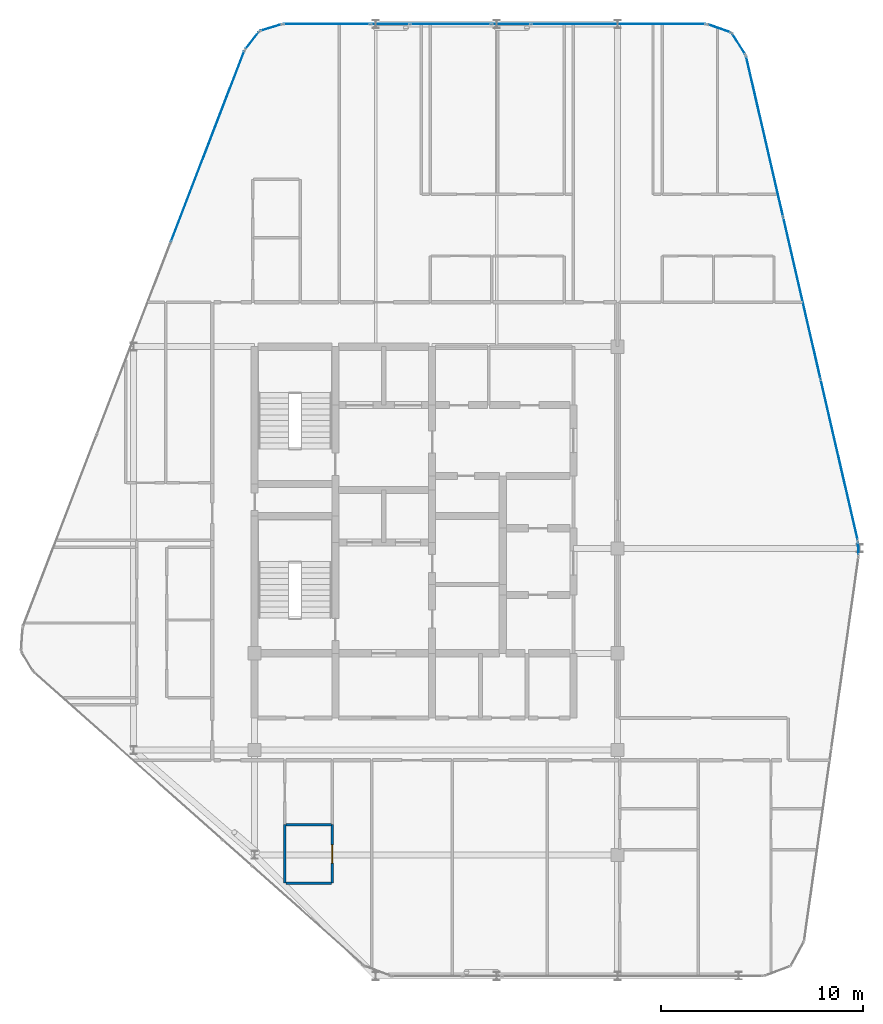
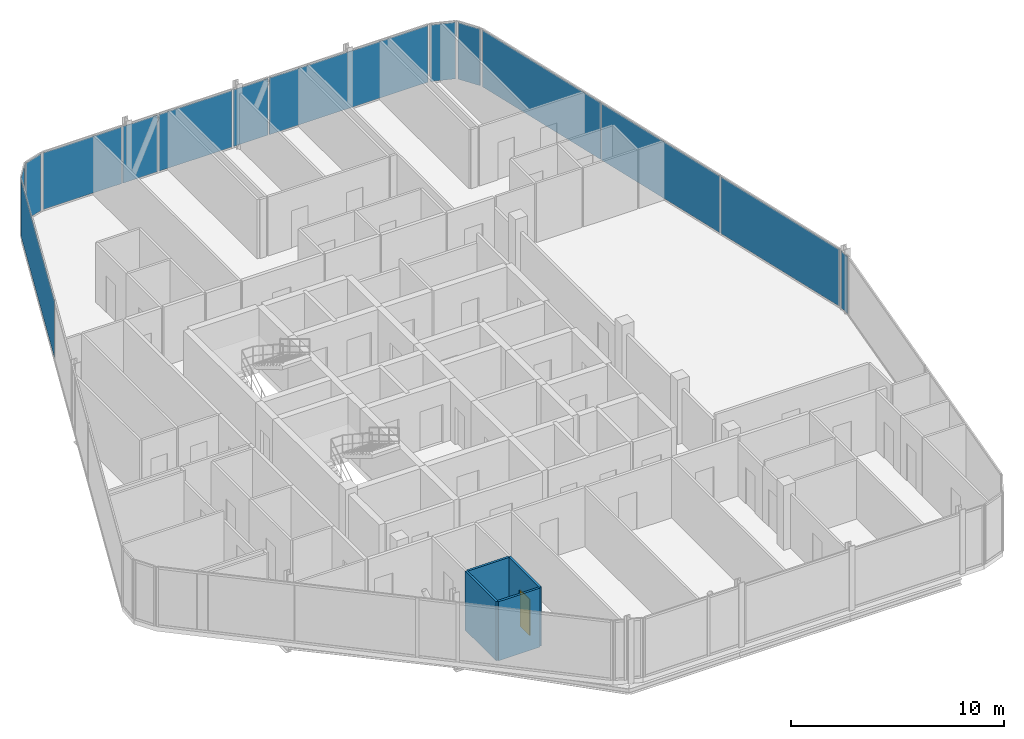
# One storey, part 21 of 27: 14 plates, 4 walls, 1 door, 1 opening, 12 elements without a shape of their own.
"""IFC4 building model written with IfcOpenShell, lengths in metres."""

from ifc_helpers import new_model, si_unit, direction, frame, frame_2d, origin, origin_2d, place, context, subcontext, project, spatial, rectangle, extrude, material, layer, layer_set, type_object, element, fill, aggregate, save


model = new_model("IFC4")

# Units and contexts
model_context = context("Model", 3, precision=1e-05, world=origin(), true_north=direction((0.0, 1.0)))
body_context = subcontext(model_context, "Body", "Model", "MODEL_VIEW")
ifc_project = project(units=[si_unit("LENGTHUNIT", "METRE"), si_unit("AREAUNIT", "SQUARE_METRE"), si_unit("VOLUMEUNIT", "CUBIC_METRE"), si_unit("PLANEANGLEUNIT", "RADIAN"), si_unit("MASSUNIT", "GRAM", prefix="KILO")], contexts=[model_context])

# Site, building, storey
site_placement = place(None, origin())
site = spatial("IfcSite", under=ifc_project, at=site_placement, CompositionType="ELEMENT")
building_placement = place(site_placement, origin())
building = spatial("IfcBuilding", under=site, at=building_placement, Name="Keshet Zoharim Tower", CompositionType="ELEMENT")
storey_placement = place(building_placement, frame((0.0, 0.0, 284.300048828125)))
storey = spatial("IfcBuildingStorey", under=building, at=storey_placement, Name="L71", CompositionType="ELEMENT", Elevation=284.300048828125)

# Curtain wall, plate
ifc_material_1 = material(Name="Aluminium 6063-T6", Category="aluminium")
ifc_layer_1 = layer(ifc_material_1, 0.260009765625)
ifc_layer_set_1 = layer_set([ifc_layer_1], Name="Aluminium 6063-T6")
curtain_wall_type = type_object("IfcCurtainWallType", Name="CW-SYS-06", PredefinedType="NOTDEFINED", material=ifc_layer_set_1)
curtain_wall_1_placement = place(storey_placement, origin())
curtain_wall_1 = element("IfcCurtainWall", 1, at=curtain_wall_1_placement, inside=storey, type_object=curtain_wall_type, Name="L71 Unitised Curtain Wall 03", PredefinedType="NOTDEFINED")
ifc_material_2 = material(Name="Insulated Low-E Clear Glass", Category="glass")
ifc_layer_2 = layer(ifc_material_2, 0.028076171875)
ifc_layer_set_2 = layer_set([ifc_layer_2], Name="Insulated Low-E Clear Glass")
plate_type_1 = type_object("IfcPlateType", Name="CWP-03", PredefinedType="CURTAIN_PANEL", material=ifc_layer_set_2)
plate_1_placement = place(storey_placement, frame((12.665771484375, 47.830810546875, 0.070068359375), z_axis=(0.0, 0.0, 1.0), x_axis=(0.358990003907, 0.933341404361, 0.0)))
plate_1 = element("IfcPlate", 2, at=plate_1_placement, type_object=plate_type_1, Name="CW-06 panel 3.1", PredefinedType="CURTAIN_PANEL", context=body_context, shape_type="SweptSolid", body=[
    extrude(rectangle(XDim=10.1181640625, YDim=0.028076171875, at=origin_2d()), origin(), (0.0, 0.0, 1.0), 3.25),
])
aggregate(curtain_wall_1, [plate_1])

curtain_wall_2_placement = place(storey_placement, origin())
curtain_wall_2 = element("IfcCurtainWall", 3, at=curtain_wall_2_placement, inside=storey, type_object=curtain_wall_type, Name="L71 Unitised Curtain Wall 04", PredefinedType="NOTDEFINED")
plate_2_placement = place(storey_placement, frame((14.8740234375, 53.08349609375, 0.070068359375), z_axis=(0.0, 0.0, 1.0), x_axis=(0.619124525989, 0.785292825205, 0.0)))
plate_2 = element("IfcPlate", 4, at=plate_2_placement, type_object=plate_type_1, Name="CW-06 panel 1.1", PredefinedType="CURTAIN_PANEL", context=body_context, shape_type="SweptSolid", body=[
    extrude(rectangle(XDim=1.045654296875, YDim=0.028076171875, at=origin_2d()), origin(), (0.0, 0.0, 1.0), 3.25),
])
aggregate(curtain_wall_2, [plate_2])

curtain_wall_3_placement = place(storey_placement, origin())
curtain_wall_3 = element("IfcCurtainWall", 5, at=curtain_wall_3_placement, inside=storey, type_object=curtain_wall_type, Name="L71 Unitised Curtain Wall 05", PredefinedType="NOTDEFINED")
plate_3_placement = place(storey_placement, frame((15.8076171875, 53.724609375, 0.070068359375), z_axis=(0.0, 0.0, 1.0), x_axis=(0.955212151288, 0.295921857984, 0.0)))
plate_3 = element("IfcPlate", 6, at=plate_3_placement, type_object=plate_type_1, Name="CW-06 panel 1.1", PredefinedType="CURTAIN_PANEL", context=body_context, shape_type="SweptSolid", body=[
    extrude(rectangle(XDim=1.046142578125, YDim=0.028076171875, at=origin_2d()), origin(), (0.0, 0.0, 1.0), 3.25),
])
aggregate(curtain_wall_3, [plate_3])

curtain_wall_4_placement = place(storey_placement, origin())
curtain_wall_4 = element("IfcCurtainWall", 7, at=curtain_wall_4_placement, inside=storey, type_object=curtain_wall_type, Name="L71 Unitised Curtain Wall 06", PredefinedType="NOTDEFINED")
plate_4_placement = place(storey_placement, frame((18.57470703125, 53.89990234375, 0.070068359375), z_axis=(0.0, 0.0, 1.0), x_axis=(1.0, 0.0, 0.0)))
plate_4 = element("IfcPlate", 8, at=plate_4_placement, type_object=plate_type_1, Name="CW-06 panel 1.1", PredefinedType="CURTAIN_PANEL", context=body_context, shape_type="SweptSolid", body=[
    extrude(rectangle(XDim=4.26123046875, YDim=0.028076171875, at=origin_2d()), origin(), (0.0, 0.0, 1.0), 3.25),
])
aggregate(curtain_wall_4, [plate_4])

curtain_wall_5_placement = place(storey_placement, origin())
curtain_wall_5 = element("IfcCurtainWall", 9, at=curtain_wall_5_placement, inside=storey, type_object=curtain_wall_type, Name="L71 Unitised Curtain Wall 06 Part 3", PredefinedType="NOTDEFINED")
plate_5_placement = place(storey_placement, frame((24.715087890625, 53.89990234375, 0.070068359375), z_axis=(0.0, 0.0, 1.0), x_axis=(1.0, 0.0, 0.0)))
plate_5 = element("IfcPlate", 10, at=plate_5_placement, type_object=plate_type_1, Name="CW-06 panel 1.1", PredefinedType="CURTAIN_PANEL", context=body_context, shape_type="SweptSolid", body=[
    extrude(rectangle(XDim=3.98046875, YDim=0.028076171875, at=origin_2d()), origin(), (0.0, 0.0, 1.0), 3.25),
])
aggregate(curtain_wall_5, [plate_5])

curtain_wall_6_placement = place(storey_placement, origin())
curtain_wall_6 = element("IfcCurtainWall", 11, at=curtain_wall_6_placement, inside=storey, type_object=curtain_wall_type, Name="L71 Unitised Curtain Wall 06 Part 5", PredefinedType="NOTDEFINED")
plate_6_placement = place(storey_placement, frame((33.031982421875, 53.89990234375, 0.070068359375), z_axis=(0.0, 0.0, 1.0), x_axis=(1.0, 0.0, 0.0)))
plate_6 = element("IfcPlate", 12, at=plate_6_placement, type_object=plate_type_1, Name="CW-06 panel 1.1", PredefinedType="CURTAIN_PANEL", context=body_context, shape_type="SweptSolid", body=[
    extrude(rectangle(XDim=8.6142578125, YDim=0.028076171875, at=origin_2d()), origin(), (0.0, 0.0, 1.0), 3.25),
])
aggregate(curtain_wall_6, [plate_6])

curtain_wall_7_placement = place(storey_placement, origin())
curtain_wall_7 = element("IfcCurtainWall", 13, at=curtain_wall_7_placement, inside=storey, type_object=curtain_wall_type, Name="L71 Unitised Curtain Wall 07", PredefinedType="NOTDEFINED")
plate_7_placement = place(storey_placement, frame((38.031494140625, 53.6826171875, 0.070068359375), z_axis=(0.0, 0.0, 1.0), x_axis=(0.944035542119, -0.329843743636, 0.0)))
plate_7 = element("IfcPlate", 14, at=plate_7_placement, type_object=plate_type_1, Name="CW-06 panel 1.1", PredefinedType="CURTAIN_PANEL", context=body_context, shape_type="SweptSolid", body=[
    extrude(rectangle(XDim=1.1787109375, YDim=0.028076171875, at=origin_2d()), origin(), (0.0, 0.0, 1.0), 3.25),
])
aggregate(curtain_wall_7, [plate_7])

curtain_wall_8_placement = place(storey_placement, origin())
curtain_wall_8 = element("IfcCurtainWall", 15, at=curtain_wall_8_placement, inside=storey, type_object=curtain_wall_type, Name="L71 Unitised Curtain Wall 08", PredefinedType="NOTDEFINED")
plate_8_placement = place(storey_placement, frame((39.006103515625, 52.907470703125, 0.070068359375), z_axis=(0.0, 0.0, 1.0), x_axis=(0.533878858502, -0.845560976183, 0.0)))
plate_8 = element("IfcPlate", 16, at=plate_8_placement, type_object=plate_type_1, Name="CW-06 panel 1.1", PredefinedType="CURTAIN_PANEL", context=body_context, shape_type="SweptSolid", body=[
    extrude(rectangle(XDim=1.1787109375, YDim=0.028076171875, at=origin_2d()), origin(), (0.0, 0.0, 1.0), 3.25),
])
aggregate(curtain_wall_8, [plate_8])

# Curtain wall, plates
curtain_wall_9_placement = place(storey_placement, origin())
curtain_wall_9 = element("IfcCurtainWall", 17, at=curtain_wall_9_placement, inside=storey, type_object=curtain_wall_type, Name="L71 Unitised Curtain Wall 09", PredefinedType="NOTDEFINED")
plate_9_placement = place(storey_placement, frame((40.288330078125, 48.318359375, 0.070068359375), z_axis=(0.0, 0.0, 1.0), x_axis=(0.224829963294, -0.974398012932, 0.0)))
plate_9 = element("IfcPlate", 18, at=plate_9_placement, type_object=plate_type_1, Name="CW-06 panel 1.1", PredefinedType="CURTAIN_PANEL", context=body_context, shape_type="SweptSolid", body=[
    extrude(rectangle(XDim=8.13525390625, YDim=0.028076171875, at=origin_2d()), origin(), (0.0, 0.0, 1.0), 3.25),
])
plate_10_placement = place(storey_placement, frame((42.136962890625, 40.305908203125, 0.070068359375), z_axis=(0.0, 0.0, 1.0), x_axis=(0.224829963294, -0.974398012932, 0.0)))
plate_10 = element("IfcPlate", 19, at=plate_10_placement, type_object=plate_type_1, Name="CW-06 panel 2.1", PredefinedType="CURTAIN_PANEL", context=body_context, shape_type="SweptSolid", body=[
    extrude(rectangle(XDim=8.17041015625, YDim=0.028076171875, at=origin_2d()), origin(), (0.0, 0.0, 1.0), 3.25),
])
plate_11_placement = place(storey_placement, frame((43.98583984375, 32.293701171875, 0.070068359375), z_axis=(0.0, 0.0, 1.0), x_axis=(0.224829963294, -0.974398012932, 0.0)))
plate_11 = element("IfcPlate", 20, at=plate_11_placement, type_object=plate_type_1, Name="CW-06 panel 3.1", PredefinedType="CURTAIN_PANEL", context=body_context, shape_type="SweptSolid", body=[
    extrude(rectangle(XDim=8.13525390625, YDim=0.028076171875, at=origin_2d()), origin(), (0.0, 0.0, 1.0), 3.25),
])
aggregate(curtain_wall_9, [plate_9, plate_10, plate_11])

# Curtain wall, plate
curtain_wall_10_placement = place(storey_placement, origin())
curtain_wall_10 = element("IfcCurtainWall", 21, at=curtain_wall_10_placement, inside=storey, type_object=curtain_wall_type, Name="L71 Unitised Curtain Wall 10", PredefinedType="NOTDEFINED")
plate_12_placement = place(storey_placement, frame((44.931884765625, 27.89697265625, 0.070068359375), z_axis=(0.0, 0.0, 1.0), x_axis=(0.043793560626, -0.999040601801, 0.0)))
plate_12 = element("IfcPlate", 22, at=plate_12_placement, type_object=plate_type_1, Name="CW-06 panel 1.1", PredefinedType="CURTAIN_PANEL", context=body_context, shape_type="SweptSolid", body=[
    extrude(rectangle(XDim=0.5908203125, YDim=0.028076171875, at=origin_2d()), origin(), (0.0, 0.0, 1.0), 3.25),
])
aggregate(curtain_wall_10, [plate_12])

curtain_wall_11_placement = place(storey_placement, origin())
curtain_wall_11 = element("IfcCurtainWall", 23, at=curtain_wall_11_placement, inside=storey, type_object=curtain_wall_type, Name="L71 Unitised Curtain Wall 06 Part 2", PredefinedType="NOTDEFINED")
ifc_material_3 = material(Name="Insulated Aluminium Spandrel Panel", Category="aluminium")
ifc_layer_3 = layer(ifc_material_3, 0.028076171875)
ifc_layer_set_3 = layer_set([ifc_layer_3], Name="Insulated Aluminium Spandrel Panel")
plate_type_2 = type_object("IfcPlateType", Name="CWP-06", PredefinedType="CURTAIN_PANEL", material=ifc_layer_set_3)
plate_13_placement = place(storey_placement, frame((21.715087890625, 53.89990234375, 0.070068359375), z_axis=(0.0, 0.0, 1.0), x_axis=(1.0, 0.0, 0.0)))
plate_13 = element("IfcPlate", 24, at=plate_13_placement, type_object=plate_type_2, Name="CW-06 spandrel panel 1.1", PredefinedType="CURTAIN_PANEL", context=body_context, shape_type="SweptSolid", body=[
    extrude(rectangle(XDim=1.879638671875, YDim=0.028076171875, at=origin_2d()), origin(), (0.0, 0.0, 1.0), 3.25),
])
aggregate(curtain_wall_11, [plate_13])

curtain_wall_12_placement = place(storey_placement, origin())
curtain_wall_12 = element("IfcCurtainWall", 25, at=curtain_wall_12_placement, inside=storey, type_object=curtain_wall_type, Name="L71 Unitised Curtain Wall 06 Part 4", PredefinedType="NOTDEFINED")
plate_14_placement = place(storey_placement, frame((27.715087890625, 53.89990234375, 0.070068359375), z_axis=(0.0, 0.0, 1.0), x_axis=(1.0, 0.0, 0.0)))
plate_14 = element("IfcPlate", 26, at=plate_14_placement, type_object=plate_type_2, Name="CW-06 spandrel panel 1.1", PredefinedType="CURTAIN_PANEL", context=body_context, shape_type="SweptSolid", body=[
    extrude(rectangle(XDim=1.879638671875, YDim=0.028076171875, at=origin_2d()), origin(), (0.0, 0.0, 1.0), 3.25),
])
aggregate(curtain_wall_12, [plate_14])

# Wall
ifc_material_4 = material(Name="Gypsum Plasterboard", Category="gypsum")
ifc_layer_4 = layer(ifc_material_4, 0.1201171875)
ifc_layer_set_4 = layer_set([ifc_layer_4], Name="Gypsum Plasterboard")
wall_type = type_object("IfcWallType", Name="WL-WET-120", PredefinedType="PARTITIONING", material=ifc_layer_set_4)
wall_1_placement = place(storey_placement, frame((16.5, 11.300048828125, 0.0), z_axis=(0.0, 0.0, 1.0), x_axis=(0.0, 1.0, 0.0)))
element("IfcWall", 27, at=wall_1_placement, inside=storey, type_object=wall_type, Name="L71 Interior Wall 020", PredefinedType="PARTITIONING", context=body_context, shape_type="SweptSolid", body=[
    extrude(rectangle(XDim=2.89990234375, YDim=0.1201171875, at=frame_2d((1.449951171875, 0.0))), origin(), (0.0, 0.0, 1.0), 3.389892578125),
])

# Wall, opening, door
wall_2_placement = place(storey_placement, frame((18.85009765625, 11.300048828125, 0.0), z_axis=(0.0, 0.0, 1.0), x_axis=(0.0, 1.0, 0.0)))
wall_2 = element("IfcWall", 28, at=wall_2_placement, inside=storey, type_object=wall_type, Name="L71 Interior Wall 024", PredefinedType="PARTITIONING", context=body_context, shape_type="SweptSolid", body=[
    extrude(rectangle(XDim=2.89990234375, YDim=0.1201171875, at=frame_2d((1.449951171875, 0.0))), origin(), (0.0, 0.0, 1.0), 3.389892578125),
])
opening_placement = place(wall_2_placement, frame((1.0, 0.0, 0.0)))
opening = element("IfcOpeningElement", 29, at=opening_placement, cuts=wall_2, Name="Opening D-WT90", PredefinedType="OPENING", context=body_context, shape_type="SweptSolid", body=[
    extrude(rectangle(XDim=0.89990234375, YDim=2.10009765625, at=frame_2d((0.449951171875, 1.050048828125))), frame((0.0, 0.070068359375, 0.0), z_axis=(0.0, -1.0, 0.0), x_axis=(1.0, 0.0, 0.0)), (0.0, 0.0, 1.0), 0.14013671875),
])
ifc_material_5 = material(Name="Hardwood Timber", Category="wood")
door_type = type_object("IfcDoorType", Name="DR-WET-090", OperationType="NOTDEFINED", PredefinedType="DOOR", material=ifc_material_5)
door_placement = place(opening_placement, origin())
door = element("IfcDoor", 30, at=door_placement, inside=storey, type_object=door_type, Name="Apartment 7101 Bathroom Door", OperationType="SINGLE_SWING_LEFT", OverallHeight=2.10009765625, OverallWidth=0.89990234375, PredefinedType="DOOR", context=body_context, shape_type="SweptSolid", body=[
    extrude(rectangle(XDim=0.89990234375, YDim=2.10009765625, at=frame_2d((0.449951171875, 1.050048828125))), frame((0.0, 0.02490234375, 0.0), z_axis=(0.0, -1.0, 0.0), x_axis=(1.0, 0.0, 0.0)), (0.0, 0.0, 1.0), 0.050048828125),
])
fill(opening, door)

# Walls
for number, where, z_axis, x_axis, name in (
    (31, (16.544921875, 11.300048828125, 0.0), (0.0, 0.0, 1.0), (1.0, 0.0, 0.0), "L71 Interior Wall 082"),
    (32, (16.544921875, 14.199951171875, 0.0), (0.0, 0.0, 1.0), (1.0, 0.0, 0.0), "L71 Interior Wall 085"),
):
    element("IfcWall", number, at=place(storey_placement, frame(where, z_axis=z_axis, x_axis=x_axis)), inside=storey, type_object=wall_type, Name=name, PredefinedType="PARTITIONING", context=body_context, shape_type="SweptSolid", body=[
        extrude(rectangle(XDim=2.260009765625, YDim=0.1201171875, at=frame_2d((1.1298828125, 0.0))), origin(), (0.0, 0.0, 1.0), 3.389892578125),
    ])

save(model, "model.ifc")
